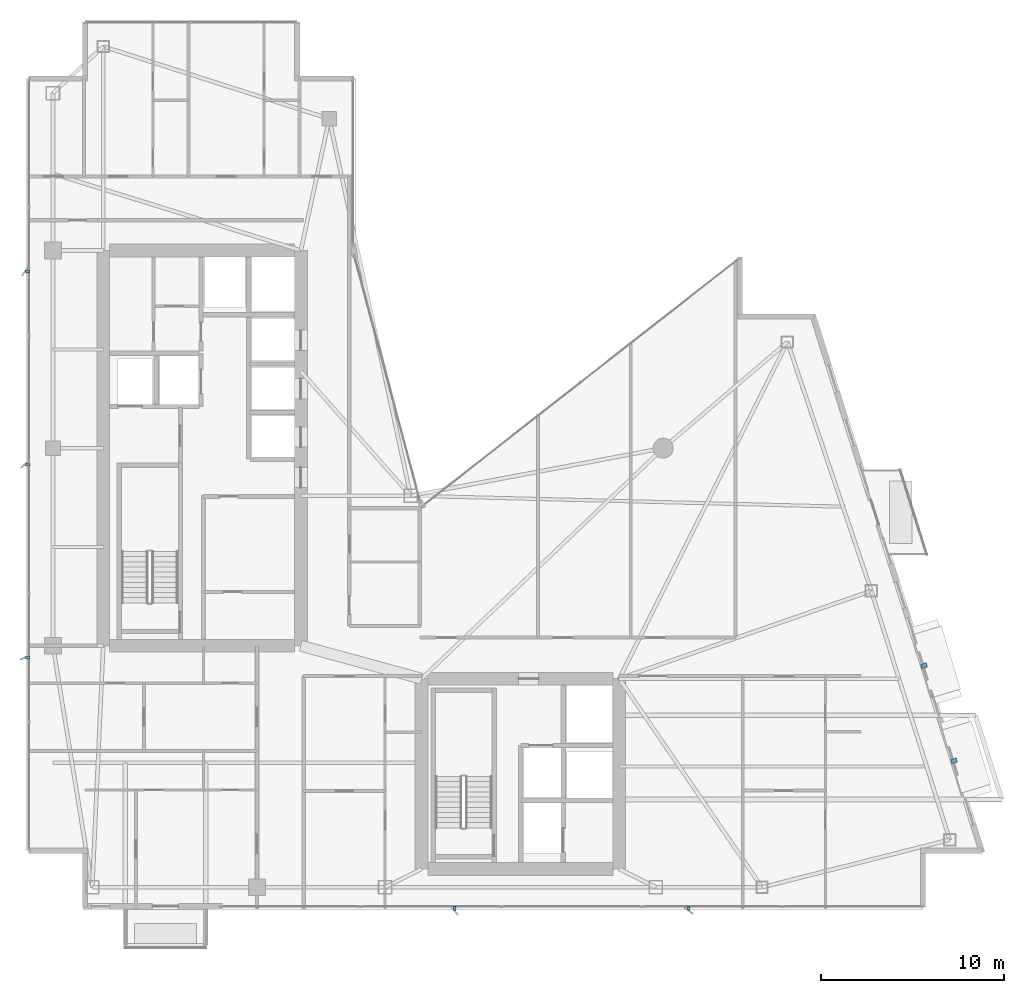
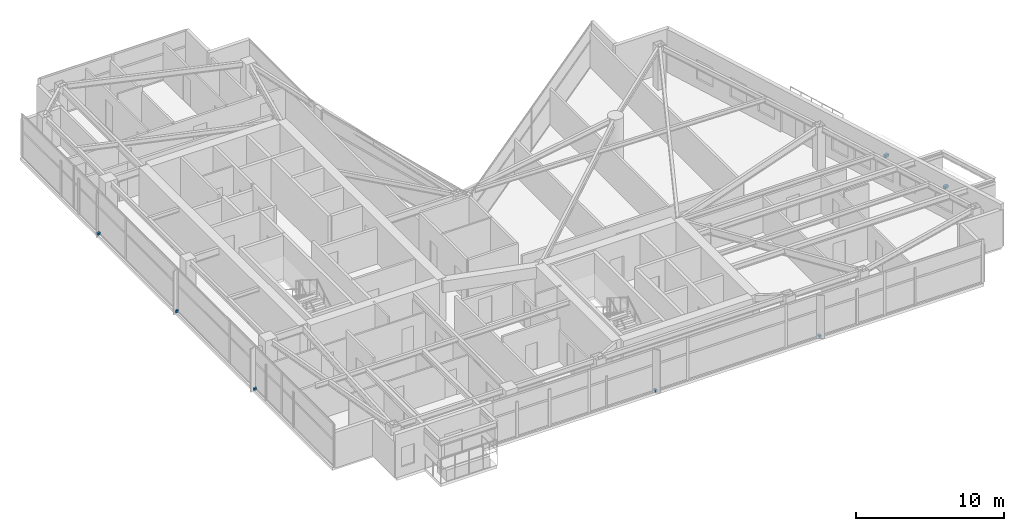
# One storey, part 27 of 29: 7 discrete accessories.
"""IFC4 building model written with IfcOpenShell, lengths in metres."""

from ifc_helpers import new_model, si_unit, direction, frame, origin, origin_2d, place, context, subcontext, project, spatial, rectangle, extrude, material, type_object, element, save


model = new_model("IFC4")

# Units and contexts
model_context = context("Model", 3, precision=1e-05, world=origin(), true_north=direction((0.0, 1.0)))
body_context = subcontext(model_context, "Body", "Model", "MODEL_VIEW")
ifc_project = project(units=[si_unit("LENGTHUNIT", "METRE"), si_unit("AREAUNIT", "SQUARE_METRE"), si_unit("VOLUMEUNIT", "CUBIC_METRE"), si_unit("PLANEANGLEUNIT", "RADIAN"), si_unit("MASSUNIT", "GRAM", prefix="KILO")], contexts=[model_context])

# Site, building, storey
site_placement = place(None, origin())
site = spatial("IfcSite", under=ifc_project, at=site_placement, CompositionType="ELEMENT")
building_placement = place(site_placement, origin())
building = spatial("IfcBuilding", under=site, at=building_placement, Name="Calvorn Quay Hotel", CompositionType="ELEMENT")
storey_placement = place(building_placement, frame((0.0, 0.0, 211.0)))
storey = spatial("IfcBuildingStorey", under=building, at=storey_placement, Name="L52", CompositionType="ELEMENT", Elevation=211.0)

# Discrete accessories
ifc_material = material(Name="Steel Q355B", Category="steel")
discrete_accessory_type = type_object("IfcDiscreteAccessoryType", Name="ACC-FIN-BRACKET", PredefinedType="BRACKET", material=ifc_material)
for number, where, z_axis, x_axis, name in (
    (1, (0.06005859375, 16.14990234375, 0.0302734375), (0.0, 0.0, 1.0), (1.0, 0.0, 0.0), "Fin Anchor Bracket L52-W01"),
    (2, (0.06005859375, 26.699951171875, 0.0302734375), (0.0, 0.0, 1.0), (1.0, 0.0, 0.0), "Fin Anchor Bracket L52-W02"),
    (3, (0.06005859375, 37.25, 0.0302734375), (0.0, 0.0, 1.0), (1.0, 0.0, 0.0), "Fin Anchor Bracket L52-W03"),
    (4, (23.39990234375, 2.4599609375, 0.0302734375), (0.0, 0.0, 1.0), (0.0, 1.0, 0.0), "Fin Anchor Bracket L52-S01"),
    (5, (36.199951171875, 2.4599609375, 0.0302734375), (0.0, 0.0, 1.0), (0.0, 1.0, 0.0), "Fin Anchor Bracket L52-S02"),
):
    element("IfcDiscreteAccessory", number, at=place(storey_placement, frame(where, z_axis=z_axis, x_axis=x_axis)), inside=storey, type_object=discrete_accessory_type, Name=name, PredefinedType="BRACKET", context=body_context, shape_type="SweptSolid", body=[
        extrude(rectangle(XDim=0.239990234375, YDim=0.159912109375, at=origin_2d()), origin(), (0.0, 0.0, 1.0), 0.179931640625),
    ])
for number, where, z_axis, x_axis, name in (
    (6, (50.695068359375, 10.511962890625, 2.3701171875), (0.0, 0.0, 1.0), (0.957319497532, 0.289031796944, 0.0), "Bay Hood Support Bracket L52-HOOD-1"),
    (7, (49.055908203125, 15.7119140625, 2.3701171875), (0.0, 0.0, 1.0), (0.957319497532, 0.289031796944, 0.0), "Bay Hood Support Bracket L52-HOOD-2"),
):
    element("IfcDiscreteAccessory", number, at=place(storey_placement, frame(where, z_axis=z_axis, x_axis=x_axis)), inside=storey, type_object=discrete_accessory_type, Name=name, PredefinedType="BRACKET", context=body_context, shape_type="SweptSolid", body=[
        extrude(rectangle(XDim=0.320068359375, YDim=0.239990234375, at=origin_2d()), origin(), (0.0, 0.0, 1.0), 0.199951171875),
    ])

save(model, "model.ifc")
